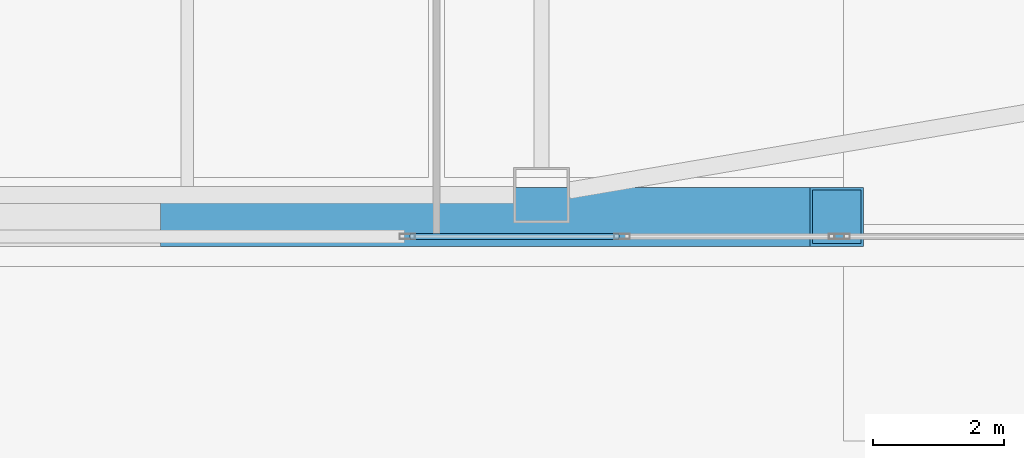
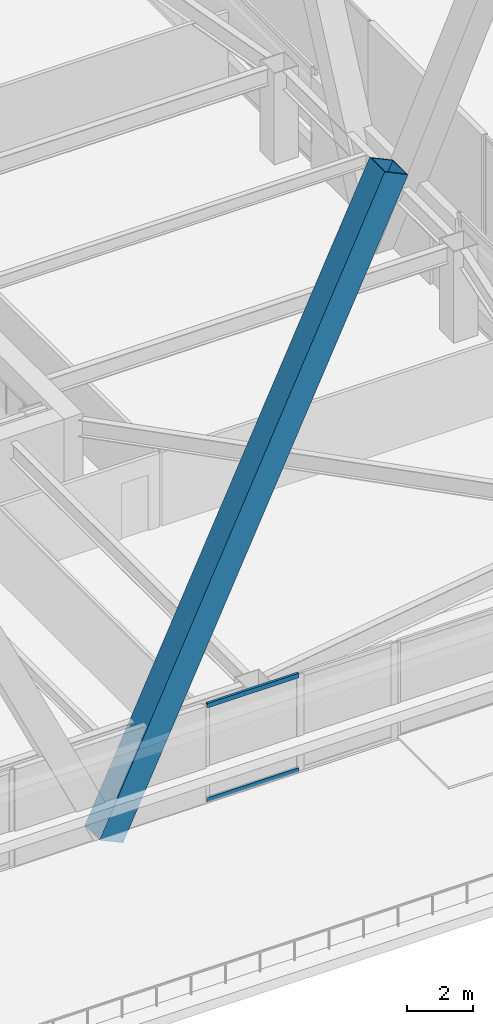
# One storey, part 12 of 83: 3 members, 1 element without a shape of its own.
"""IFC4 building model written with IfcOpenShell, lengths in metres."""

from ifc_helpers import new_model, si_unit, direction, frame, origin, origin_2d, place, context, subcontext, project, spatial, hollow_rectangle, extrude, material, material_profile, profile_set, type_object, element, aggregate, save


model = new_model("IFC4")

# Units and contexts
model_context = context("Model", 3, precision=1e-05, world=origin(), true_north=direction((0.0, 1.0)))
body_context = subcontext(model_context, "Body", "Model", "MODEL_VIEW")
ifc_project = project(units=[si_unit("LENGTHUNIT", "METRE"), si_unit("AREAUNIT", "SQUARE_METRE"), si_unit("VOLUMEUNIT", "CUBIC_METRE"), si_unit("PLANEANGLEUNIT", "RADIAN"), si_unit("MASSUNIT", "GRAM", prefix="KILO")], contexts=[model_context])

# Site, building, storey
site_placement = place(None, origin())
site = spatial("IfcSite", under=ifc_project, at=site_placement, CompositionType="ELEMENT")
building_placement = place(site_placement, origin())
building = spatial("IfcBuilding", under=site, at=building_placement, Name="Tashvorn Skyway Center", CompositionType="ELEMENT")
storey_placement = place(building_placement, frame((0.0, 0.0, 24.60009765625)))
storey = spatial("IfcBuildingStorey", under=building, at=storey_placement, Name="L05", CompositionType="ELEMENT", Elevation=24.60009765625)

# Curtain wall, members
ifc_material_1 = material(Name="Thermally broken bronze-anodized aluminium 6063-T6", Category="aluminium")
curtain_wall_type = type_object("IfcCurtainWallType", Name="CW-CW-Z1", PredefinedType="NOTDEFINED", material=ifc_material_1)
curtain_wall_placement = place(storey_placement, origin())
curtain_wall = element("IfcCurtainWall", 1, at=curtain_wall_placement, inside=storey, type_object=curtain_wall_type, Name="Tower 1 L05 South Unitised Curtain Wall Glazing Group 2", PredefinedType="NOTDEFINED")
ifc_material_profile_1 = material_profile(ifc_material_1, hollow_rectangle(XDim=0.0849609375, YDim=0.1650390625, WallThickness=0.0048828125, at=origin_2d()), Name="ALU-TRAN-85x165")
ifc_profile_set_1 = profile_set([ifc_material_profile_1], Name="Thermally broken bronze-anodized aluminium 6063-T6")
member_type_1 = type_object("IfcMemberType", Name="CWT-CW-Z1", PredefinedType="USERDEFINED", material=ifc_profile_set_1)
member_1_placement = place(storey_placement, frame((48.584228515625, 9.1201171875, 0.04248046875), z_axis=(-1.0, 0.0, 0.0), x_axis=(0.0, -1.0, 0.0)))
member_1 = element("IfcMember", 2, at=member_1_placement, type_object=member_type_1, Name="CW-Z1 transom 2.1", ObjectType="TRANSOM", PredefinedType="USERDEFINED", context=body_context, shape_type="SweptSolid", body=[
    extrude(hollow_rectangle(XDim=0.0849609375, YDim=0.1650390625, WallThickness=0.0048828125, at=origin_2d()), origin(), (0.0, 0.0, 1.0), 3.18603515625),
])
member_2_placement = place(storey_placement, frame((48.584228515625, 9.1201171875, 3.50732421875), z_axis=(-1.0, 0.0, 0.0), x_axis=(0.0, -1.0, 0.0)))
member_2 = element("IfcMember", 3, at=member_2_placement, type_object=member_type_1, Name="CW-Z1 transom 2.2", ObjectType="TRANSOM", PredefinedType="USERDEFINED", context=body_context, shape_type="SweptSolid", body=[
    extrude(hollow_rectangle(XDim=0.0849609375, YDim=0.1650390625, WallThickness=0.0048828125, at=origin_2d()), origin(), (0.0, 0.0, 1.0), 3.18603515625),
])
aggregate(curtain_wall, [member_1, member_2])

# Member
ifc_material_2 = material(Name="Steel ASTM A572 Grade 50", Category="steel")
ifc_material_profile_2 = material_profile(ifc_material_2, hollow_rectangle(XDim=0.89990234375, YDim=0.89990234375, WallThickness=0.0400390625, at=origin_2d()), Name="BOX900x900x40")
ifc_profile_set_2 = profile_set([ifc_material_profile_2], Name="Steel ASTM A572 Grade 50")
member_type_2 = type_object("IfcMemberType", Name="MEM-MB-900", PredefinedType="BRACE", material=ifc_profile_set_2)
member_3_placement = place(storey_placement, frame((42.0, 9.419921875, -0.22021484375), z_axis=(0.425254538693, 0.0, 0.905073796616), x_axis=(0.0, 1.0, 0.0)))
element("IfcMember", 4, at=member_3_placement, inside=storey, type_object=member_type_2, Name="Tower 1 Zone 1 S Chevron Mega-Brace R1", PredefinedType="BRACE", context=body_context, shape_type="SweptSolid", body=[
    extrude(hollow_rectangle(XDim=0.89990234375, YDim=0.89990234375, WallThickness=0.0400390625, at=origin_2d()), origin(), (0.0, 0.0, 1.0), 23.280029296875),
])

save(model, "model.ifc")
